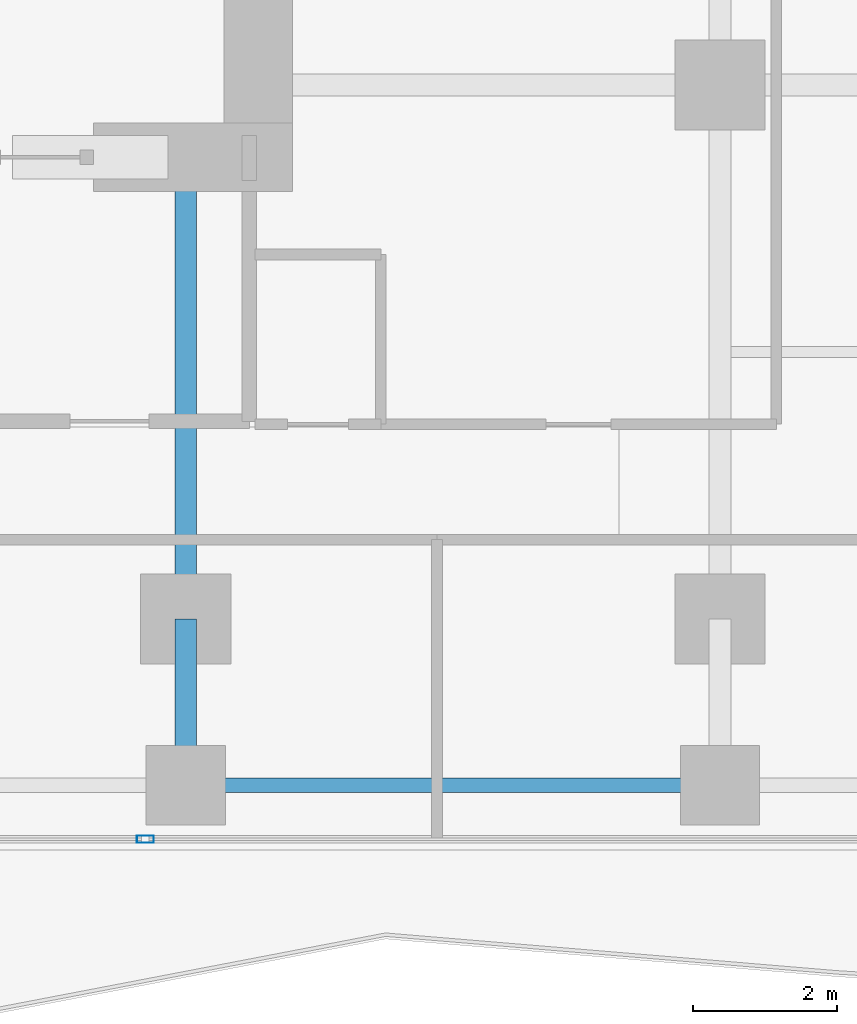
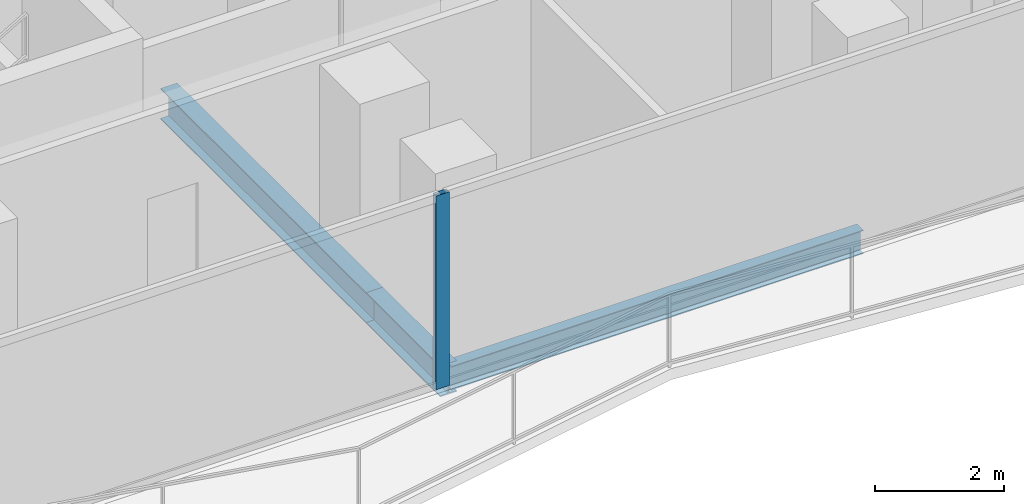
# One storey, part 4 of 27: 3 beams, 1 member, 1 element without a shape of its own.
"""IFC4 building model written with IfcOpenShell, lengths in metres."""

from ifc_helpers import new_model, si_unit, direction, frame, origin, origin_2d, place, context, subcontext, project, spatial, hollow_rectangle, i_section, extrude, material, layer, layer_set, material_profile, profile_set, type_object, element, aggregate, save


model = new_model("IFC4")

# Units and contexts
model_context = context("Model", 3, precision=1e-05, world=origin(), true_north=direction((0.0, 1.0)))
body_context = subcontext(model_context, "Body", "Model", "MODEL_VIEW")
ifc_project = project(units=[si_unit("LENGTHUNIT", "METRE"), si_unit("AREAUNIT", "SQUARE_METRE"), si_unit("VOLUMEUNIT", "CUBIC_METRE"), si_unit("PLANEANGLEUNIT", "RADIAN"), si_unit("MASSUNIT", "GRAM", prefix="KILO")], contexts=[model_context])

# Site, building, storey
site_placement = place(None, origin())
site = spatial("IfcSite", under=ifc_project, at=site_placement, CompositionType="ELEMENT")
building_placement = place(site_placement, origin())
building = spatial("IfcBuilding", under=site, at=building_placement, Name="Khorvyn Point Tower", CompositionType="ELEMENT")
storey_placement = place(building_placement, frame((0.0, 0.0, 129.0)))
storey = spatial("IfcBuildingStorey", under=building, at=storey_placement, Name="L32", CompositionType="ELEMENT", Elevation=129.0)

# Curtain wall, member
ifc_material_1 = material(Name="Anodised aluminium 6063-T6 and laminated Low-E glass", Category="aluminium")
ifc_layer = layer(ifc_material_1, 0.18994140625)
ifc_layer_set = layer_set([ifc_layer], Name="Stick-Built Acoustic Curtain Wall CW-SYS-03")
curtain_wall_type = type_object("IfcCurtainWallType", Name="Stick-Built Acoustic Curtain Wall CW-SYS-03", PredefinedType="NOTDEFINED", material=ifc_layer_set)
curtain_wall_placement = place(storey_placement, origin())
curtain_wall = element("IfcCurtainWall", 1, at=curtain_wall_placement, inside=storey, type_object=curtain_wall_type, Name="Curtain Wall", PredefinedType="NOTDEFINED")
ifc_material_2 = material(Name="Anodised aluminium 6063-T6", Category="aluminium")
ifc_material_profile_1 = material_profile(ifc_material_2, hollow_rectangle(XDim=0.10009765625, YDim=0.239990234375, WallThickness=0.0048828125, at=origin_2d()))
ifc_profile_set_1 = profile_set([ifc_material_profile_1], Name="Anodised aluminium 6063-T6 ALU-MUL-100x240")
member_type = type_object("IfcMemberType", Name="Anodised Aluminium 6063-T6 Mullion ALU-MUL-100x240", PredefinedType="MULLION", material=ifc_profile_set_1)
member_placement = place(storey_placement, frame((6.83837890625, -17.85009765625, 0.0), z_axis=(0.0, 0.0, 1.0), x_axis=(0.0, -1.0, 0.0)))
member = element("IfcMember", 2, at=member_placement, type_object=member_type, Name="Transom", PredefinedType="MULLION", context=body_context, shape_type="SweptSolid", body=[
    extrude(hollow_rectangle(XDim=0.10009765625, YDim=0.239990234375, WallThickness=0.0048828125, at=origin_2d()), origin(), (0.0, 0.0, 1.0), 3.679931640625),
])
aggregate(curtain_wall, [member])

# Beams
ifc_material_3 = material(Name="Steel S355", Category="steel")
ifc_material_profile_2 = material_profile(ifc_material_3, i_section(OverallWidth=0.300048828125, OverallDepth=0.587890625, WebThickness=0.011962890625, FlangeThickness=0.02001953125, at=origin_2d()))
ifc_profile_set_2 = profile_set([ifc_material_profile_2], Name="Steel S355 H588x300x12x20")
beam_type_1 = type_object("IfcBeamType", Name="Steel S355 Beam H588x300x12x20", PredefinedType="BEAM", material=ifc_profile_set_2)
beam_1_placement = place(storey_placement, frame((7.39990234375, -17.10009765625, -0.513916015625), z_axis=(0.0, 1.0, 0.0), x_axis=(-1.0, 0.0, 0.0)))
element("IfcBeam", 3, at=beam_1_placement, inside=storey, type_object=beam_type_1, Name="Beam", PredefinedType="BEAM", context=body_context, shape_type="SweptSolid", body=[
    extrude(i_section(OverallWidth=0.300048828125, OverallDepth=0.587890625, WebThickness=0.011962890625, FlangeThickness=0.02001953125, at=origin_2d()), origin(), (0.0, 0.0, 1.0), 2.300048828125),
])
beam_2_placement = place(storey_placement, frame((7.39990234375, -14.800048828125, -0.513916015625), z_axis=(0.0, 1.0, 0.0), x_axis=(-1.0, 0.0, 0.0)))
element("IfcBeam", 4, at=beam_2_placement, inside=storey, type_object=beam_type_1, Name="Beam", PredefinedType="BEAM", context=body_context, shape_type="SweptSolid", body=[
    extrude(i_section(OverallWidth=0.300048828125, OverallDepth=0.587890625, WebThickness=0.011962890625, FlangeThickness=0.02001953125, at=origin_2d()), origin(), (0.0, 0.0, 1.0), 6.400146484375),
])
ifc_material_profile_3 = material_profile(ifc_material_3, i_section(OverallWidth=0.199951171875, OverallDepth=0.449951171875, WebThickness=0.009033203125, FlangeThickness=0.013916015625, at=origin_2d()))
ifc_profile_set_3 = profile_set([ifc_material_profile_3], Name="Steel S355 H450x200x9x14")
beam_type_2 = type_object("IfcBeamType", Name="Steel S355 Spandrel H450x200x9x14", PredefinedType="SPANDREL", material=ifc_profile_set_3)
beam_3_placement = place(storey_placement, frame((7.39990234375, -17.10009765625, -0.445068359375), z_axis=(1.0, 0.0, 0.0), x_axis=(0.0, 1.0, 0.0)))
element("IfcBeam", 5, at=beam_3_placement, inside=storey, type_object=beam_type_2, Name="Beam", PredefinedType="SPANDREL", context=body_context, shape_type="SweptSolid", body=[
    extrude(i_section(OverallWidth=0.199951171875, OverallDepth=0.449951171875, WebThickness=0.009033203125, FlangeThickness=0.013916015625, at=origin_2d()), origin(), (0.0, 0.0, 1.0), 7.400146484375),
])

save(model, "model.ifc")
